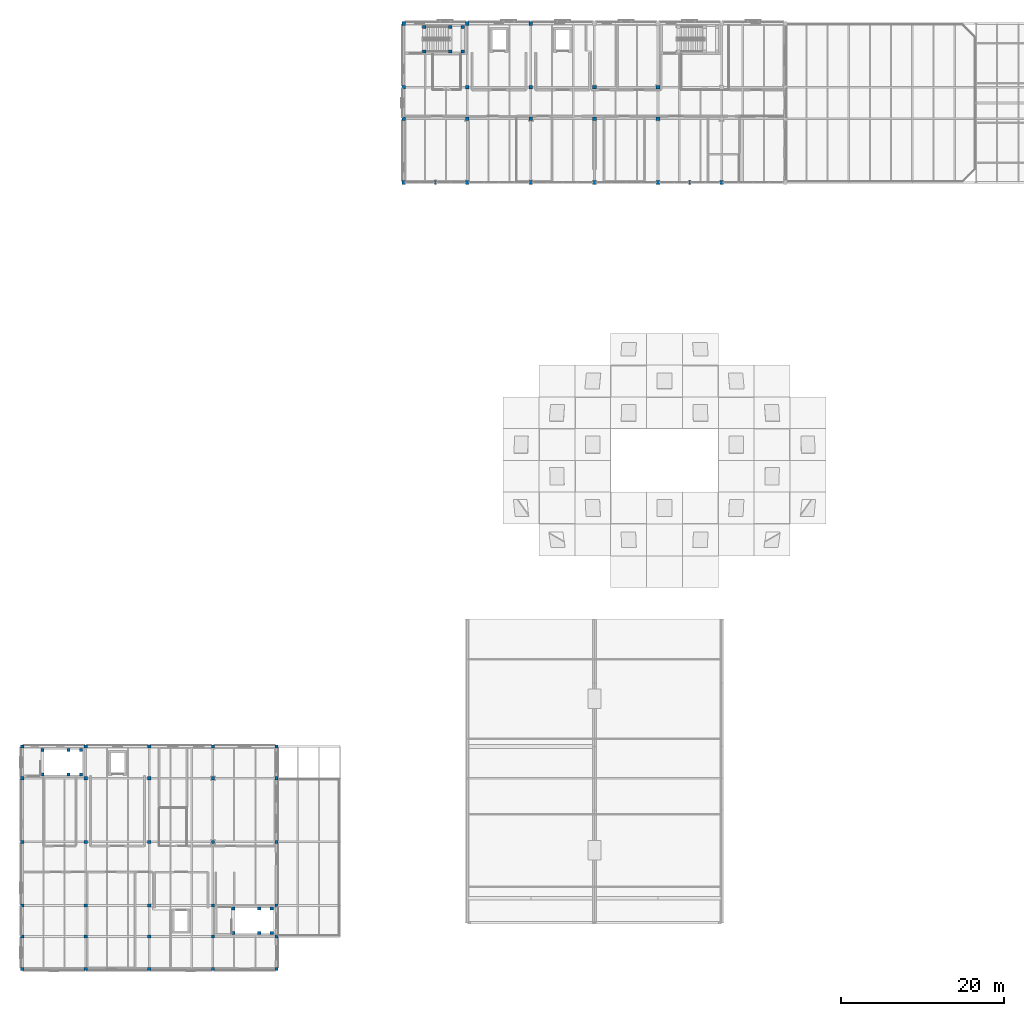
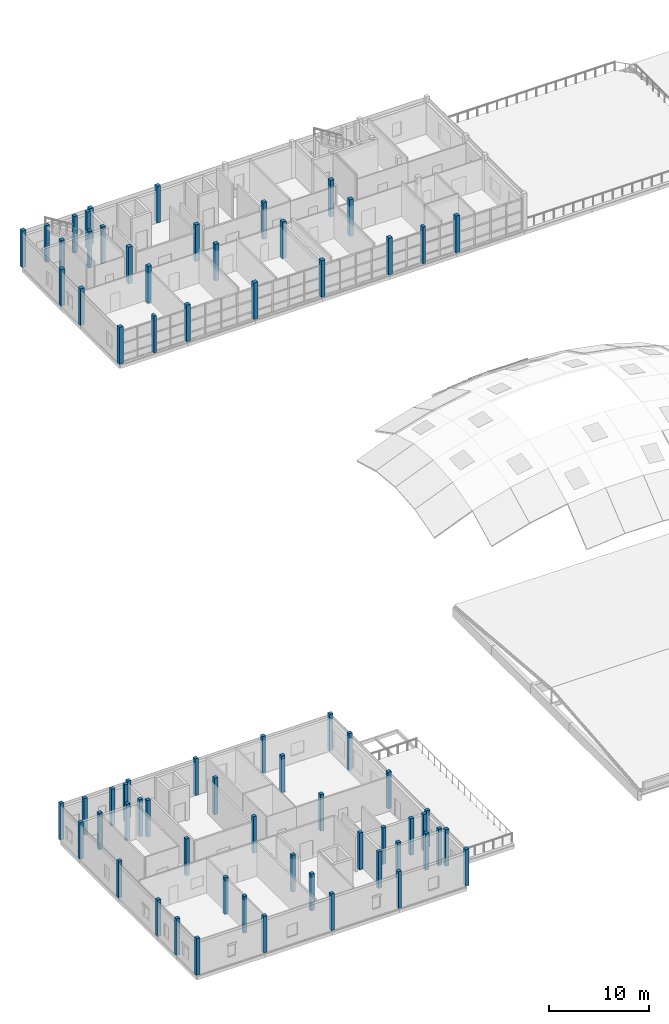
# One storey, part 1 of 45: 69 columns.
"""IFC4 building model written with IfcOpenShell, lengths in metres."""

from ifc_helpers import new_model, si_unit, direction, frame, origin, origin_2d, place, context, subcontext, project, spatial, rectangle, extrude, material, material_profile, profile_set, type_object, element, save


model = new_model("IFC4")

# Units and contexts
model_context = context("Model", 3, precision=1e-05, world=origin(), true_north=direction((0.0, 1.0)))
body_context = subcontext(model_context, "Body", "Model", "MODEL_VIEW")
ifc_project = project(units=[si_unit("LENGTHUNIT", "METRE"), si_unit("AREAUNIT", "SQUARE_METRE"), si_unit("VOLUMEUNIT", "CUBIC_METRE"), si_unit("PLANEANGLEUNIT", "RADIAN"), si_unit("MASSUNIT", "GRAM", prefix="KILO")], contexts=[model_context])

# Site, building, storey
site_placement = place(None, origin())
site = spatial("IfcSite", under=ifc_project, at=site_placement, CompositionType="ELEMENT")
building_placement = place(site_placement, origin())
building = spatial("IfcBuilding", under=site, at=building_placement, Name="Celorna Specialist Clinic", CompositionType="ELEMENT")
storey_placement = place(building_placement, frame((0.0, 0.0, 18.60009765625)))
storey = spatial("IfcBuildingStorey", under=building, at=storey_placement, Name="L04", CompositionType="ELEMENT", Elevation=18.60009765625)

# Columns
ifc_material_1 = material(Name="Concrete C35/45", Category="concrete")
ifc_material_profile_1 = material_profile(ifc_material_1, rectangle(XDim=0.449951171875, YDim=0.449951171875, at=origin_2d()), Name="RC 450x450")
ifc_profile_set_1 = profile_set([ifc_material_profile_1], Name="Concrete C35/45")
column_type_1 = type_object("IfcColumnType", Name="CT-07", PredefinedType="COLUMN", material=ifc_profile_set_1)
for number, where, z_axis, x_axis, name in (
    (1, (46.800048828125, 96.5, 0.0), (0.0, 0.0, 1.0), (1.0, 0.0, 0.0), "Column CT-07 L04 X07/YR"),
    (2, (46.800048828125, 104.300048828125, 0.0), (0.0, 0.0, 1.0), (1.0, 0.0, 0.0), "Column CT-07 L04 X07/YS"),
    (3, (46.800048828125, 108.199951171875, 0.0), (0.0, 0.0, 1.0), (1.0, 0.0, 0.0), "Column CT-07 L04 X07/YT"),
    (4, (46.800048828125, 116.0, 0.0), (0.0, 0.0, 1.0), (1.0, 0.0, 0.0), "Column CT-07 L04 X07/YU"),
    (5, (54.60009765625, 96.5, 0.0), (0.0, 0.0, 1.0), (1.0, 0.0, 0.0), "Column CT-07 L04 X08/YR"),
    (6, (54.60009765625, 104.300048828125, 0.0), (0.0, 0.0, 1.0), (1.0, 0.0, 0.0), "Column CT-07 L04 X08/YS"),
    (7, (54.60009765625, 108.199951171875, 0.0), (0.0, 0.0, 1.0), (1.0, 0.0, 0.0), "Column CT-07 L04 X08/YT"),
    (8, (54.60009765625, 116.0, 0.0), (0.0, 0.0, 1.0), (1.0, 0.0, 0.0), "Column CT-07 L04 X08/YU"),
    (9, (62.39990234375, 96.5, 0.0), (0.0, 0.0, 1.0), (1.0, 0.0, 0.0), "Column CT-07 L04 X09/YR"),
    (10, (62.39990234375, 104.300048828125, 0.0), (0.0, 0.0, 1.0), (1.0, 0.0, 0.0), "Column CT-07 L04 X09/YS"),
    (11, (62.39990234375, 108.199951171875, 0.0), (0.0, 0.0, 1.0), (1.0, 0.0, 0.0), "Column CT-07 L04 X09/YT"),
    (12, (62.39990234375, 116.0, 0.0), (0.0, 0.0, 1.0), (1.0, 0.0, 0.0), "Column CT-07 L04 X09/YU"),
    (13, (70.199951171875, 96.5, 0.0), (0.0, 0.0, 1.0), (1.0, 0.0, 0.0), "Column CT-07 L04 X10/YR"),
    (14, (70.199951171875, 104.300048828125, 0.0), (0.0, 0.0, 1.0), (1.0, 0.0, 0.0), "Column CT-07 L04 X10/YS"),
    (15, (70.199951171875, 108.199951171875, 0.0), (0.0, 0.0, 1.0), (1.0, 0.0, 0.0), "Column CT-07 L04 X10/YT"),
    (16, (78.0, 96.5, 0.0), (0.0, 0.0, 1.0), (1.0, 0.0, 0.0), "Column CT-07 L04 X11/YR"),
    (17, (78.0, 104.300048828125, 0.0), (0.0, 0.0, 1.0), (1.0, 0.0, 0.0), "Column CT-07 L04 X11/YS"),
    (18, (78.0, 108.199951171875, 0.0), (0.0, 0.0, 1.0), (1.0, 0.0, 0.0), "Column CT-07 L04 X11/YT"),
    (19, (85.800048828125, 96.5, 0.0), (0.0, 0.0, 1.0), (1.0, 0.0, 0.0), "Column CT-07 L04 X12/YR"),
):
    element("IfcColumn", number, at=place(storey_placement, frame(where, z_axis=z_axis, x_axis=x_axis)), inside=storey, type_object=column_type_1, Name=name, PredefinedType="COLUMN", context=body_context, shape_type="SweptSolid", body=[
        extrude(rectangle(XDim=0.449951171875, YDim=0.449951171875, at=origin_2d()), origin(), (0.0, 0.0, 1.0), 4.5),
    ])
ifc_material_profile_2 = material_profile(ifc_material_1, rectangle(XDim=0.39990234375, YDim=0.39990234375, at=origin_2d()), Name="RC 400x400")
ifc_profile_set_2 = profile_set([ifc_material_profile_2], Name="Concrete C35/45")
column_type_2 = type_object("IfcColumnType", Name="CT-08", PredefinedType="COLUMN", material=ifc_profile_set_2)
for number, where, z_axis, x_axis, name in (
    (20, (0.0, 0.0, 0.0), (0.0, 0.0, 1.0), (1.0, 0.0, 0.0), "Column CT-08 L04 X01/YA"),
    (21, (0.0, 4.0, 0.0), (0.0, 0.0, 1.0), (1.0, 0.0, 0.0), "Column CT-08 L04 X01/YA1"),
    (22, (0.0, 7.800048828125, 0.0), (0.0, 0.0, 1.0), (1.0, 0.0, 0.0), "Column CT-08 L04 X01/YC"),
    (23, (0.0, 15.60009765625, 0.0), (0.0, 0.0, 1.0), (1.0, 0.0, 0.0), "Column CT-08 L04 X01/YD"),
    (24, (0.0, 23.39990234375, 0.0), (0.0, 0.0, 1.0), (1.0, 0.0, 0.0), "Column CT-08 L04 X01/YE"),
    (25, (0.0, 27.300048828125, 0.0), (0.0, 0.0, 1.0), (1.0, 0.0, 0.0), "Column CT-08 L04 X01/YF"),
    (26, (7.800048828125, 0.0, 0.0), (0.0, 0.0, 1.0), (1.0, 0.0, 0.0), "Column CT-08 L04 X02/YA"),
    (27, (7.800048828125, 4.0, 0.0), (0.0, 0.0, 1.0), (1.0, 0.0, 0.0), "Column CT-08 L04 X02/YA1"),
    (28, (7.800048828125, 7.800048828125, 0.0), (0.0, 0.0, 1.0), (1.0, 0.0, 0.0), "Column CT-08 L04 X02/YC"),
    (29, (7.800048828125, 15.60009765625, 0.0), (0.0, 0.0, 1.0), (1.0, 0.0, 0.0), "Column CT-08 L04 X02/YD"),
    (30, (7.800048828125, 23.39990234375, 0.0), (0.0, 0.0, 1.0), (1.0, 0.0, 0.0), "Column CT-08 L04 X02/YE"),
    (31, (7.800048828125, 27.300048828125, 0.0), (0.0, 0.0, 1.0), (1.0, 0.0, 0.0), "Column CT-08 L04 X02/YF"),
    (32, (15.60009765625, 0.0, 0.0), (0.0, 0.0, 1.0), (1.0, 0.0, 0.0), "Column CT-08 L04 X03/YA"),
    (33, (15.60009765625, 4.0, 0.0), (0.0, 0.0, 1.0), (1.0, 0.0, 0.0), "Column CT-08 L04 X03/YA1"),
    (34, (15.60009765625, 7.800048828125, 0.0), (0.0, 0.0, 1.0), (1.0, 0.0, 0.0), "Column CT-08 L04 X03/YC"),
    (35, (15.60009765625, 15.60009765625, 0.0), (0.0, 0.0, 1.0), (1.0, 0.0, 0.0), "Column CT-08 L04 X03/YD"),
    (36, (15.60009765625, 23.39990234375, 0.0), (0.0, 0.0, 1.0), (1.0, 0.0, 0.0), "Column CT-08 L04 X03/YE"),
    (37, (15.60009765625, 27.300048828125, 0.0), (0.0, 0.0, 1.0), (1.0, 0.0, 0.0), "Column CT-08 L04 X03/YF"),
    (38, (23.39990234375, 0.0, 0.0), (0.0, 0.0, 1.0), (1.0, 0.0, 0.0), "Column CT-08 L04 X04/YA"),
    (39, (23.39990234375, 4.0, 0.0), (0.0, 0.0, 1.0), (1.0, 0.0, 0.0), "Column CT-08 L04 X04/YA1"),
    (40, (23.39990234375, 7.800048828125, 0.0), (0.0, 0.0, 1.0), (1.0, 0.0, 0.0), "Column CT-08 L04 X04/YC"),
    (41, (23.39990234375, 15.60009765625, 0.0), (0.0, 0.0, 1.0), (1.0, 0.0, 0.0), "Column CT-08 L04 X04/YD"),
    (42, (23.39990234375, 23.39990234375, 0.0), (0.0, 0.0, 1.0), (1.0, 0.0, 0.0), "Column CT-08 L04 X04/YE"),
    (43, (23.39990234375, 27.300048828125, 0.0), (0.0, 0.0, 1.0), (1.0, 0.0, 0.0), "Column CT-08 L04 X04/YF"),
    (44, (31.199951171875, 0.0, 0.0), (0.0, 0.0, 1.0), (1.0, 0.0, 0.0), "Column CT-08 L04 X05/YA"),
    (45, (31.199951171875, 4.0, 0.0), (0.0, 0.0, 1.0), (1.0, 0.0, 0.0), "Column CT-08 L04 X05/YA1"),
    (46, (31.199951171875, 7.800048828125, 0.0), (0.0, 0.0, 1.0), (1.0, 0.0, 0.0), "Column CT-08 L04 X05/YC"),
    (47, (31.199951171875, 15.60009765625, 0.0), (0.0, 0.0, 1.0), (1.0, 0.0, 0.0), "Column CT-08 L04 X05/YD"),
    (48, (31.199951171875, 23.39990234375, 0.0), (0.0, 0.0, 1.0), (1.0, 0.0, 0.0), "Column CT-08 L04 X05/YE"),
    (49, (31.199951171875, 27.300048828125, 0.0), (0.0, 0.0, 1.0), (1.0, 0.0, 0.0), "Column CT-08 L04 X05/YF"),
    (50, (49.320068359375, 112.570068359375, 0.0), (0.0, 0.0, 1.0), (1.0, 0.0, 0.0), "Stair ST-01 landing column CT-08 L04 X07/YU"),
    (51, (49.320068359375, 115.570068359375, 0.0), (0.0, 0.0, 1.0), (1.0, 0.0, 0.0), "Stair ST-01 landing column CT-08 L04 X07/YU"),
    (52, (52.52001953125, 112.570068359375, 0.0), (0.0, 0.0, 1.0), (1.0, 0.0, 0.0), "Stair ST-01 landing column CT-08 L04 X08/YU"),
    (53, (52.52001953125, 115.570068359375, 0.0), (0.0, 0.0, 1.0), (1.0, 0.0, 0.0), "Stair ST-01 landing column CT-08 L04 X08/YU"),
    (54, (54.0400390625, 112.570068359375, 0.0), (0.0, 0.0, 1.0), (1.0, 0.0, 0.0), "Stair ST-01 landing column CT-08 L04 X08/YU"),
    (55, (54.0400390625, 115.570068359375, 0.0), (0.0, 0.0, 1.0), (1.0, 0.0, 0.0), "Stair ST-01 landing column CT-08 L04 X08/YU"),
    (56, (2.489990234375, 23.8701171875, 0.0), (0.0, 0.0, 1.0), (1.0, 0.0, 0.0), "Stair ST-04 landing column CT-08 L04 X01/YF"),
    (57, (2.489990234375, 26.8701171875, 0.0), (0.0, 0.0, 1.0), (1.0, 0.0, 0.0), "Stair ST-04 landing column CT-08 L04 X01/YF"),
    (58, (5.68994140625, 23.8701171875, 0.0), (0.0, 0.0, 1.0), (1.0, 0.0, 0.0), "Stair ST-04 landing column CT-08 L04 X02/YF"),
    (59, (5.68994140625, 26.8701171875, 0.0), (0.0, 0.0, 1.0), (1.0, 0.0, 0.0), "Stair ST-04 landing column CT-08 L04 X02/YF"),
    (60, (7.2099609375, 23.8701171875, 0.0), (0.0, 0.0, 1.0), (1.0, 0.0, 0.0), "Stair ST-04 landing column CT-08 L04 X02/YF"),
    (61, (7.2099609375, 26.8701171875, 0.0), (0.0, 0.0, 1.0), (1.0, 0.0, 0.0), "Stair ST-04 landing column CT-08 L04 X02/YF"),
    (62, (25.889892578125, 4.429931640625, 0.0), (0.0, 0.0, 1.0), (1.0, 0.0, 0.0), "Stair ST-05 landing column CT-08 L04 X04/YA1"),
    (63, (25.889892578125, 7.429931640625, 0.0), (0.0, 0.0, 1.0), (1.0, 0.0, 0.0), "Stair ST-05 landing column CT-08 L04 X04/YC"),
    (64, (29.090087890625, 4.429931640625, 0.0), (0.0, 0.0, 1.0), (1.0, 0.0, 0.0), "Stair ST-05 landing column CT-08 L04 X05/YA1"),
    (65, (29.090087890625, 7.429931640625, 0.0), (0.0, 0.0, 1.0), (1.0, 0.0, 0.0), "Stair ST-05 landing column CT-08 L04 X05/YC"),
    (66, (30.610107421875, 4.429931640625, 0.0), (0.0, 0.0, 1.0), (1.0, 0.0, 0.0), "Stair ST-05 landing column CT-08 L04 X05/YA1"),
    (67, (30.610107421875, 7.429931640625, 0.0), (0.0, 0.0, 1.0), (1.0, 0.0, 0.0), "Stair ST-05 landing column CT-08 L04 X05/YC"),
):
    element("IfcColumn", number, at=place(storey_placement, frame(where, z_axis=z_axis, x_axis=x_axis)), inside=storey, type_object=column_type_2, Name=name, PredefinedType="COLUMN", context=body_context, shape_type="SweptSolid", body=[
        extrude(rectangle(XDim=0.39990234375, YDim=0.39990234375, at=origin_2d()), origin(), (0.0, 0.0, 1.0), 4.5),
    ])
ifc_material_2 = material(Name="Precast concrete C40/50", Category="concrete")
ifc_material_profile_3 = material_profile(ifc_material_2, rectangle(XDim=0.300048828125, YDim=0.47998046875, at=origin_2d()), Name="PILASTER 300x480")
ifc_profile_set_3 = profile_set([ifc_material_profile_3], Name="Precast concrete C40/50")
column_type_3 = type_object("IfcColumnType", Name="CT-17", PredefinedType="PILASTER", material=ifc_profile_set_3)
for number, where, z_axis, x_axis, name in (
    (68, (50.699951171875, 96.5, 0.0), (0.0, 0.0, 1.0), (1.0, 0.0, 0.0), "Court veranda pilaster CT-17 L04 X08/YR"),
    (69, (81.89990234375, 96.5, 0.0), (0.0, 0.0, 1.0), (1.0, 0.0, 0.0), "Court veranda pilaster CT-17 L04 X12/YR"),
):
    element("IfcColumn", number, at=place(storey_placement, frame(where, z_axis=z_axis, x_axis=x_axis)), inside=storey, type_object=column_type_3, Name=name, PredefinedType="PILASTER", context=body_context, shape_type="SweptSolid", body=[
        extrude(rectangle(XDim=0.300048828125, YDim=0.47998046875, at=origin_2d()), origin(), (0.0, 0.0, 1.0), 4.5),
    ])

save(model, "model.ifc")
